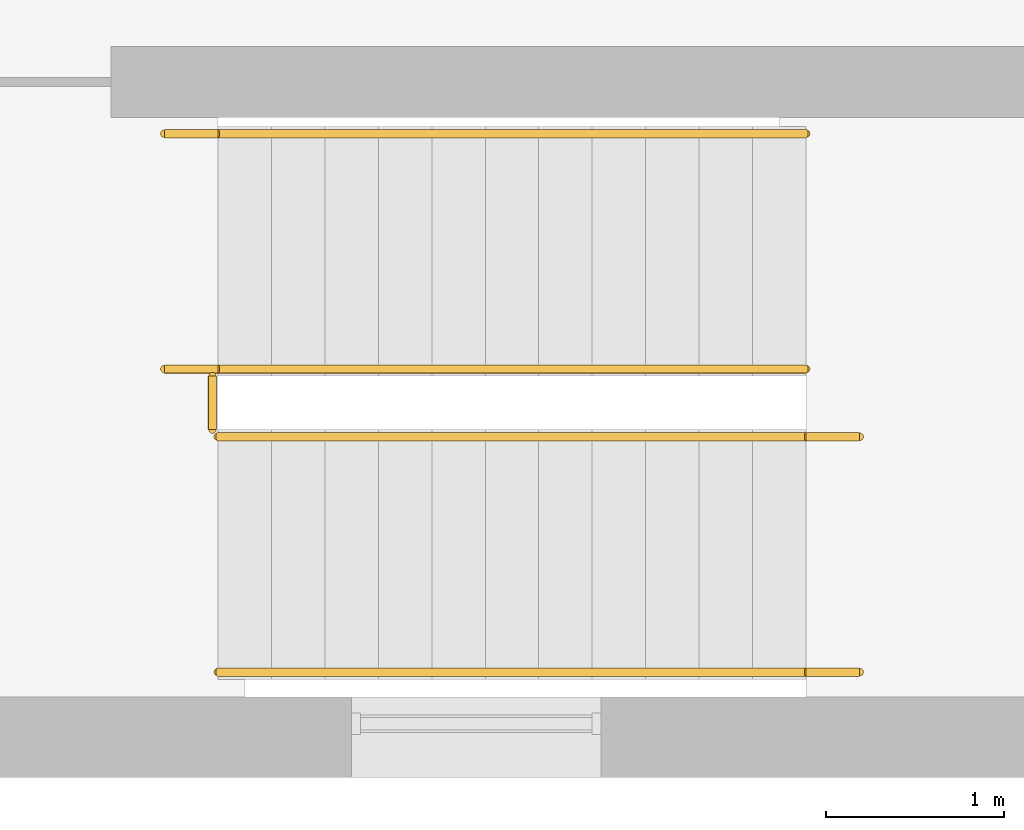
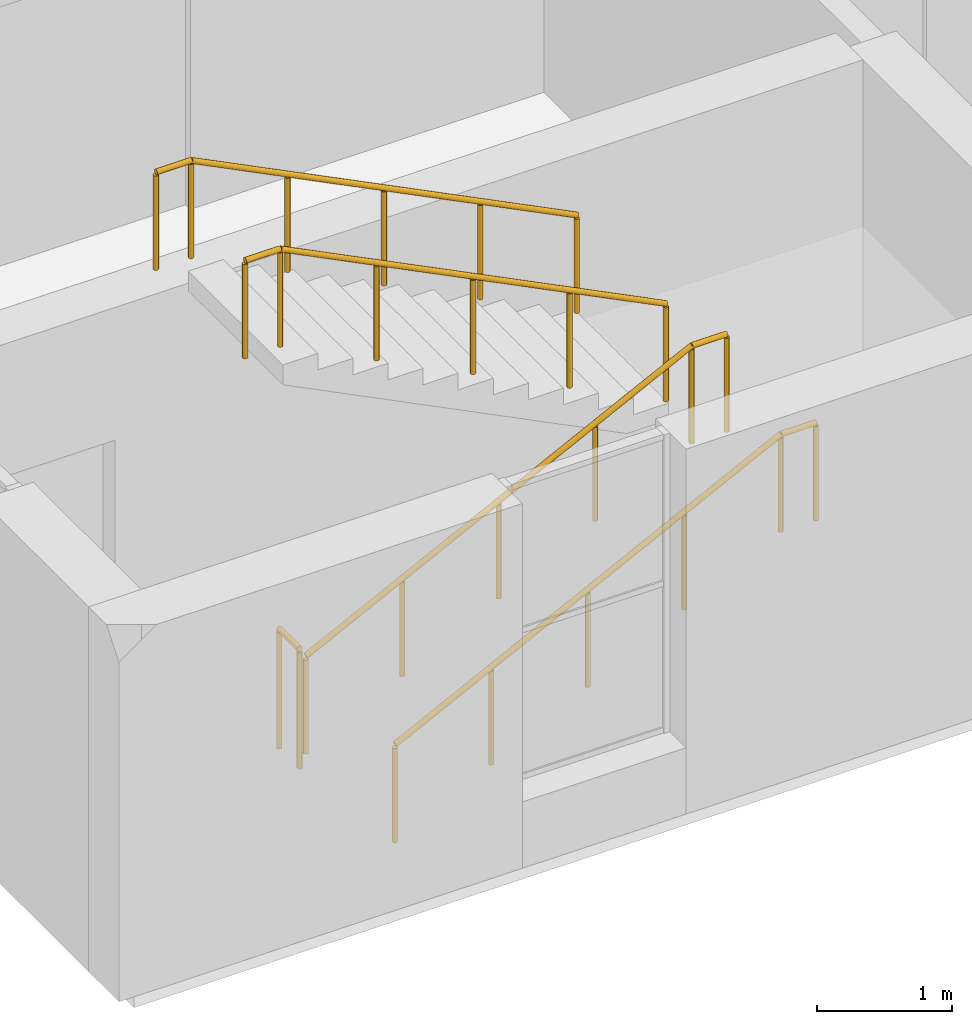
# One storey, part 46 of 48: 5 railings.
"""IFC4 building model written with IfcOpenShell, lengths in metres."""

from ifc_helpers import new_model, si_unit, direction, frame, origin, origin_2d, place, context, subcontext, project, spatial, circle, extrude, material, type_object, element, save


model = new_model("IFC4")

# Units and contexts
model_context = context("Model", 3, precision=1e-05, world=origin(), true_north=direction((0.0, 1.0)))
body_context = subcontext(model_context, "Body", "Model", "MODEL_VIEW")
ifc_project = project(units=[si_unit("LENGTHUNIT", "METRE"), si_unit("AREAUNIT", "SQUARE_METRE"), si_unit("VOLUMEUNIT", "CUBIC_METRE"), si_unit("PLANEANGLEUNIT", "RADIAN"), si_unit("MASSUNIT", "GRAM", prefix="KILO")], contexts=[model_context])

# Site, building, storey
site_placement = place(None, origin())
site = spatial("IfcSite", under=ifc_project, at=site_placement, CompositionType="ELEMENT")
building_placement = place(site_placement, origin())
building = spatial("IfcBuilding", under=site, at=building_placement, Name="Yavir Park General Hospital", CompositionType="ELEMENT")
storey_placement = place(building_placement, frame((0.0, 0.0, 26.10009765625)))
storey = spatial("IfcBuildingStorey", under=building, at=storey_placement, Name="L06", CompositionType="ELEMENT", Elevation=26.10009765625)

# Railings
ifc_material_1 = material(Name="Steel balustrade with infill rods", Category="steel")
railing_type_1 = type_object("IfcRailingType", Name="Stair guard, steel balustrade 1100 mm", PredefinedType="GUARDRAIL", material=ifc_material_1)
railing_placement = place(storey_placement, frame((103.169921875, 1.64990234375, 0.0)))
element("IfcRailing", 1, at=railing_placement, inside=storey, type_object=railing_type_1, Name="Stair well guard SU4 L06", PredefinedType="GUARDRAIL", context=body_context, shape_type="SweptSolid", body=[
    extrude(circle(Radius=0.02392578125, at=origin_2d()), frame((0.0, 0.0, 1.076171875), z_axis=(0.0, 1.0, 0.0), x_axis=(-1.0, 0.0, 0.0)), (0.0, 0.0, 1.0), 0.300048828125),
    extrude(circle(Radius=0.02099609375, at=origin_2d()), origin(), (0.0, 0.0, 1.0), 1.052001953125),
    extrude(circle(Radius=0.02099609375, at=origin_2d()), frame((0.0, 0.300048828125, 0.0)), (0.0, 0.0, 1.0), 1.052001953125),
])
ifc_material_2 = material(Name="Stainless steel tube 48 mm", Category="steel")
railing_type_2 = type_object("IfcRailingType", Name="Stair handrail, steel tube, 900 mm above the nosings", PredefinedType="HANDRAIL", material=ifc_material_2)
for number, where, name in (
    (2, (103.199951171875, 0.2900390625, 0.14990234375), "Handrail SU4 L06 1"),
    (3, (103.199951171875, 1.610107421875, 0.14990234375), "Handrail SU4 L06 2"),
):
    element("IfcRailing", number, at=place(storey_placement, frame(where)), inside=storey, type_object=railing_type_2, Name=name, PredefinedType="HANDRAIL", context=body_context, shape_type="SweptSolid", body=[
        extrude(circle(Radius=0.02392578125, at=origin_2d()), frame((0.0, 0.0, 0.8759765625), z_axis=(0.894440424912, 0.0, 0.447187126696), x_axis=(0.0, 1.0, 0.0)), (0.0, 0.0, 1.0), 3.689453125),
        extrude(circle(Radius=0.02392578125, at=origin_2d()), frame((3.300048828125, 0.0, 2.52587890625), z_axis=(1.0, 0.0, 0.0), x_axis=(0.0, 1.0, 0.0)), (0.0, 0.0, 1.0), 0.300048828125),
        extrude(circle(Radius=0.02099609375, at=origin_2d()), origin(), (0.0, 0.0, 1.0), 0.851806640625),
        extrude(circle(Radius=0.02099609375, at=origin_2d()), frame((0.824951171875, 0.0, 0.41259765625)), (0.0, 0.0, 1.0), 0.851806640625),
        extrude(circle(Radius=0.02099609375, at=origin_2d()), frame((1.64990234375, 0.0, 0.824951171875)), (0.0, 0.0, 1.0), 0.851806640625),
        extrude(circle(Radius=0.02099609375, at=origin_2d()), frame((2.47509765625, 0.0, 1.2373046875)), (0.0, 0.0, 1.0), 0.851806640625),
        extrude(circle(Radius=0.02099609375, at=origin_2d()), frame((3.300048828125, 0.0, 1.64990234375)), (0.0, 0.0, 1.0), 0.851806640625),
        extrude(circle(Radius=0.02099609375, at=origin_2d()), frame((3.60009765625, 0.0, 1.64990234375)), (0.0, 0.0, 1.0), 0.851806640625),
    ])
for number, where, name in (
    (4, (106.5, 3.31005859375, 1.949951171875), "Handrail SU4 L06 3"),
    (5, (106.5, 1.989990234375, 1.949951171875), "Handrail SU4 L06 4"),
):
    element("IfcRailing", number, at=place(storey_placement, frame(where)), inside=storey, type_object=railing_type_2, Name=name, PredefinedType="HANDRAIL", context=body_context, shape_type="SweptSolid", body=[
        extrude(circle(Radius=0.02392578125, at=origin_2d()), frame((0.0, 0.0, 0.8759765625), z_axis=(-0.894440424912, 0.0, 0.447187126696), x_axis=(0.0, -1.0, 0.0)), (0.0, 0.0, 1.0), 3.689453125),
        extrude(circle(Radius=0.02392578125, at=origin_2d()), frame((-3.300048828125, 0.0, 2.52587890625), z_axis=(-1.0, 0.0, 0.0), x_axis=(0.0, -1.0, 0.0)), (0.0, 0.0, 1.0), 0.300048828125),
        extrude(circle(Radius=0.02099609375, at=origin_2d()), origin(), (0.0, 0.0, 1.0), 0.851806640625),
        extrude(circle(Radius=0.02099609375, at=origin_2d()), frame((-0.824951171875, 0.0, 0.41259765625)), (0.0, 0.0, 1.0), 0.851806640625),
        extrude(circle(Radius=0.02099609375, at=origin_2d()), frame((-1.64990234375, 0.0, 0.824951171875)), (0.0, 0.0, 1.0), 0.851806640625),
        extrude(circle(Radius=0.02099609375, at=origin_2d()), frame((-2.47509765625, 0.0, 1.2373046875)), (0.0, 0.0, 1.0), 0.851806640625),
        extrude(circle(Radius=0.02099609375, at=origin_2d()), frame((-3.300048828125, 0.0, 1.64990234375)), (0.0, 0.0, 1.0), 0.851806640625),
        extrude(circle(Radius=0.02099609375, at=origin_2d()), frame((-3.60009765625, 0.0, 1.64990234375)), (0.0, 0.0, 1.0), 0.851806640625),
    ])

save(model, "model.ifc")
